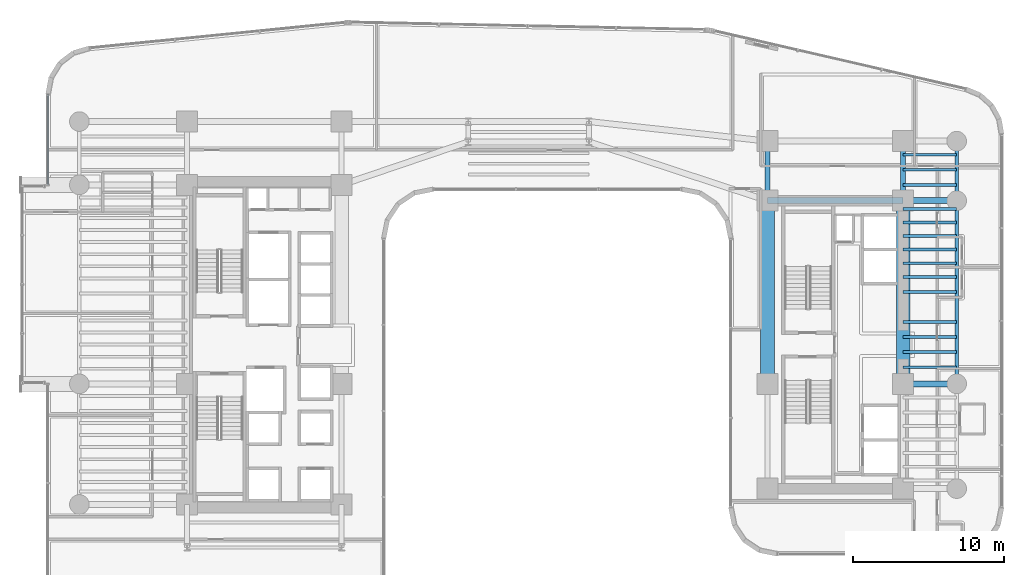
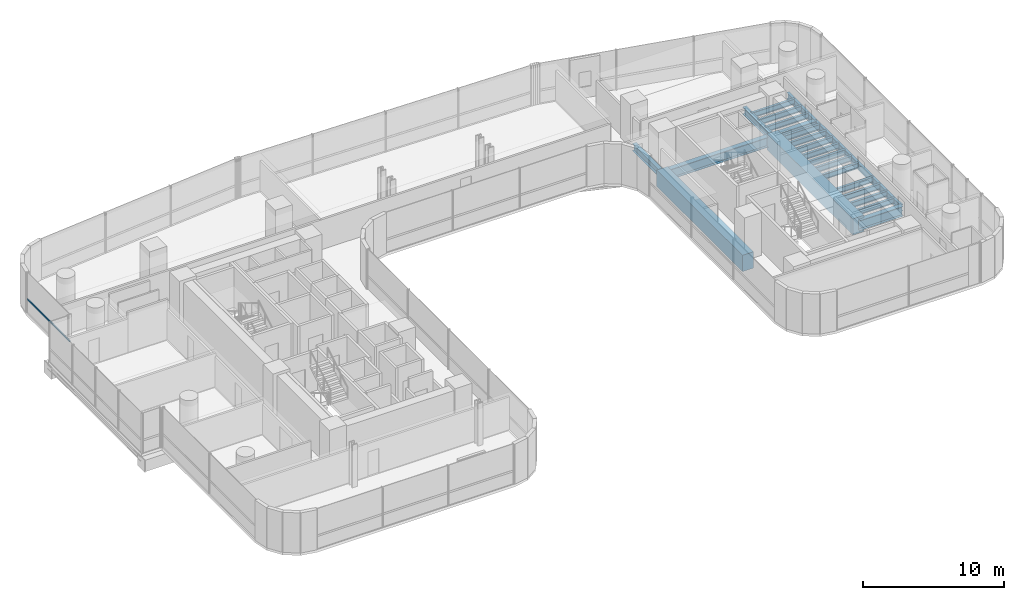
# One storey, part 16 of 39: 23 beams, 1 member, 1 element without a shape of its own.
"""IFC4 building model written with IfcOpenShell, lengths in metres."""

from ifc_helpers import new_model, si_unit, direction, frame, origin, origin_2d, place, context, subcontext, project, spatial, rectangle, hollow_rectangle, i_section, extrude, source, transform, mapped, material, material_profile, profile_set, type_object, element, aggregate, save


model = new_model("IFC4")

# Units and contexts
model_context = context("Model", 3, precision=1e-05, world=origin(), true_north=direction((0.0, 1.0)))
body_context = subcontext(model_context, "Body", "Model", "MODEL_VIEW")
ifc_project = project(units=[si_unit("LENGTHUNIT", "METRE"), si_unit("AREAUNIT", "SQUARE_METRE"), si_unit("VOLUMEUNIT", "CUBIC_METRE"), si_unit("PLANEANGLEUNIT", "RADIAN"), si_unit("MASSUNIT", "GRAM", prefix="KILO")], contexts=[model_context])

# Site, building, storey
site_placement = place(None, origin())
site = spatial("IfcSite", under=ifc_project, at=site_placement, CompositionType="ELEMENT")
building_placement = place(site_placement, origin())
building = spatial("IfcBuilding", under=site, at=building_placement, Name="Valdorenza Pilgrim Sanctuary Tower", CompositionType="ELEMENT")
storey_placement = place(building_placement, frame((0.0, 0.0, 70.39990234375)))
storey = spatial("IfcBuildingStorey", under=building, at=storey_placement, Name="L17", CompositionType="ELEMENT", Elevation=70.39990234375)

# Beams
ifc_material_1 = material(Name="Concrete C60/75", Category="concrete")
ifc_material_profile_1 = material_profile(ifc_material_1, rectangle(XDim=0.89990234375, YDim=1.39990234375, at=origin_2d()), Name="RC 1400x900")
ifc_profile_set_1 = profile_set([ifc_material_profile_1], Name="Concrete C60/75")
beam_type_1 = type_object("IfcBeamType", Name="STR-BM-LNT-1400", PredefinedType="LINTEL", material=ifc_profile_set_1)
shared_shape_1 = source(origin(), body_context, "Body", "SweptSolid", [
    extrude(rectangle(XDim=0.89990234375, YDim=1.39990234375, at=origin_2d()), origin(), (0.0, 0.0, 1.0), 12.150146484375),
])
for number, where, z_axis, x_axis, name in (
    (1, (15.85009765625, -2.60009765625, -0.739990234375), (0.0, 1.0, 0.0), (-1.0, 0.0, 0.0), "L17 Core B West Coupling Lintel Girder"),
    (2, (24.85009765625, -2.60009765625, -0.739990234375), (0.0, 1.0, 0.0), (-1.0, 0.0, 0.0), "L17 Core B East Coupling Lintel Girder"),
):
    element("IfcBeam", number, at=place(storey_placement, frame(where, z_axis=z_axis, x_axis=x_axis)), inside=storey, type_object=beam_type_1, Name=name, PredefinedType="LINTEL", context=body_context, shape_type="MappedRepresentation", body=[
        mapped(shared_shape_1, transform((0.0, 0.0, 0.0), x_axis=(1.0, 0.0, 0.0), y_axis=(0.0, 1.0, 0.0), z_axis=(0.0, 0.0, 1.0), scale=1.0)),
    ])
ifc_material_2 = material(Name="Steel ASTM A992 Grade 50", Category="steel")
ifc_material_profile_2 = material_profile(ifc_material_2, i_section(OverallWidth=0.214111328125, OverallDepth=0.549072265625, WebThickness=0.0146484375, FlangeThickness=0.023681640625, at=origin_2d()), Name="W21X93")
ifc_profile_set_2 = profile_set([ifc_material_profile_2], Name="Steel ASTM A992 Grade 50")
beam_type_2 = type_object("IfcBeamType", Name="STR-BM-SPN-W21A", PredefinedType="SPANDREL", material=ifc_profile_set_2)
shared_shape_2 = source(origin(), body_context, "Body", "SweptSolid", [
    extrude(i_section(OverallWidth=0.214111328125, OverallDepth=0.549072265625, WebThickness=0.0146484375, FlangeThickness=0.023681640625, at=origin_2d()), origin(), (0.0, 0.0, 1.0), 12.150146484375),
])
beam_1_placement = place(storey_placement, frame((28.39990234375, -2.60009765625, -0.514404296875), z_axis=(0.0, 1.0, 0.0), x_axis=(-1.0, 0.0, 0.0)))
element("IfcBeam", 3, at=beam_1_placement, inside=storey, type_object=beam_type_2, Name="L17 Spandrel Beam WB-E-M0N1", PredefinedType="SPANDREL", context=body_context, shape_type="MappedRepresentation", body=[
    mapped(shared_shape_2, transform((0.0, 0.0, 0.0), x_axis=(1.0, 0.0, 0.0), y_axis=(0.0, 1.0, 0.0), z_axis=(0.0, 0.0, 1.0), scale=1.0)),
])
ifc_material_profile_3 = material_profile(ifc_material_2, i_section(OverallWidth=0.323974609375, OverallDepth=0.611083984375, WebThickness=0.0126953125, FlangeThickness=0.01904296875, at=origin_2d()), Name="W24X104")
ifc_profile_set_3 = profile_set([ifc_material_profile_3], Name="Steel ASTM A992 Grade 50")
beam_type_3 = type_object("IfcBeamType", Name="STR-BM-GRD-W24B", PredefinedType="BEAM", material=ifc_profile_set_3)
shared_shape_3 = source(origin(), body_context, "Body", "SweptSolid", [
    extrude(i_section(OverallWidth=0.323974609375, OverallDepth=0.611083984375, WebThickness=0.0126953125, FlangeThickness=0.01904296875, at=origin_2d()), origin(), (0.0, 0.0, 1.0), 3.949951171875),
])
for number, where, z_axis, x_axis, name in (
    (4, (15.85009765625, 9.550048828125, -0.54541015625), (0.0, 1.0, 0.0), (-1.0, 0.0, 0.0), "L17 Core Tie Girder CB-W-N1N2"),
    (5, (24.85009765625, 9.550048828125, -0.54541015625), (0.0, 1.0, 0.0), (-1.0, 0.0, 0.0), "L17 Core Tie Girder CB-E-N1N2"),
):
    element("IfcBeam", number, at=place(storey_placement, frame(where, z_axis=z_axis, x_axis=x_axis)), inside=storey, type_object=beam_type_3, Name=name, PredefinedType="BEAM", context=body_context, shape_type="MappedRepresentation", body=[
        mapped(shared_shape_3, transform((0.0, 0.0, 0.0), x_axis=(1.0, 0.0, 0.0), y_axis=(0.0, 1.0, 0.0), z_axis=(0.0, 0.0, 1.0), scale=1.0)),
    ])
shared_shape_4 = source(origin(), body_context, "Body", "SweptSolid", [
    extrude(i_section(OverallWidth=0.214111328125, OverallDepth=0.549072265625, WebThickness=0.0146484375, FlangeThickness=0.023681640625, at=origin_2d()), origin(), (0.0, 0.0, 1.0), 3.949951171875),
])
beam_2_placement = place(storey_placement, frame((28.39990234375, 9.550048828125, -0.514404296875), z_axis=(0.0, 1.0, 0.0), x_axis=(-1.0, 0.0, 0.0)))
element("IfcBeam", 6, at=beam_2_placement, inside=storey, type_object=beam_type_2, Name="L17 Spandrel Beam WB-E-N1N2", PredefinedType="SPANDREL", context=body_context, shape_type="MappedRepresentation", body=[
    mapped(shared_shape_4, transform((0.0, 0.0, 0.0), x_axis=(1.0, 0.0, 0.0), y_axis=(0.0, 1.0, 0.0), z_axis=(0.0, 0.0, 1.0), scale=1.0)),
])
ifc_material_profile_4 = material_profile(ifc_material_2, i_section(OverallWidth=0.193115234375, OverallDepth=0.466064453125, WebThickness=0.011474609375, FlangeThickness=0.01904296875, at=origin_2d()), Name="W18X65")
ifc_profile_set_4 = profile_set([ifc_material_profile_4], Name="Steel ASTM A992 Grade 50")
beam_type_4 = type_object("IfcBeamType", Name="STR-BM-JST-W18A", PredefinedType="JOIST", material=ifc_profile_set_4)
shared_shape_5 = source(origin(), body_context, "Body", "SweptSolid", [
    extrude(i_section(OverallWidth=0.193115234375, OverallDepth=0.466064453125, WebThickness=0.011474609375, FlangeThickness=0.01904296875, at=origin_2d()), origin(), (0.0, 0.0, 1.0), 3.5498046875),
])
for number, where, z_axis, x_axis, name in (
    (7, (24.85009765625, -1.5, -0.472900390625), (1.0, 0.0, 0.0), (0.0, 1.0, 0.0), "L17 Composite Floor Joist JST-WB-8"),
    (8, (24.85009765625, -0.5, -0.472900390625), (1.0, 0.0, 0.0), (0.0, 1.0, 0.0), "L17 Composite Floor Joist JST-WB-9"),
    (9, (24.85009765625, 0.5, -0.472900390625), (1.0, 0.0, 0.0), (0.0, 1.0, 0.0), "L17 Composite Floor Joist JST-WB-10"),
    (10, (24.85009765625, 1.5, -0.472900390625), (1.0, 0.0, 0.0), (0.0, 1.0, 0.0), "L17 Composite Floor Joist JST-WB-11"),
    (11, (24.85009765625, 3.5, -0.472900390625), (1.0, 0.0, 0.0), (0.0, 1.0, 0.0), "L17 Composite Floor Joist JST-WB-12"),
    (12, (24.85009765625, 4.5, -0.472900390625), (1.0, 0.0, 0.0), (0.0, 1.0, 0.0), "L17 Composite Floor Joist JST-WB-13"),
    (13, (24.85009765625, 5.39990234375, -0.472900390625), (1.0, 0.0, 0.0), (0.0, 1.0, 0.0), "L17 Composite Floor Joist JST-WB-14"),
    (14, (24.85009765625, 6.300048828125, -0.472900390625), (1.0, 0.0, 0.0), (0.0, 1.0, 0.0), "L17 Composite Floor Joist JST-WB-15"),
    (15, (24.85009765625, 7.199951171875, -0.472900390625), (1.0, 0.0, 0.0), (0.0, 1.0, 0.0), "L17 Composite Floor Joist JST-WB-16"),
    (16, (24.85009765625, 8.10009765625, -0.472900390625), (1.0, 0.0, 0.0), (0.0, 1.0, 0.0), "L17 Composite Floor Joist JST-WB-17"),
    (17, (24.85009765625, 9.0, -0.472900390625), (1.0, 0.0, 0.0), (0.0, 1.0, 0.0), "L17 Composite Floor Joist JST-WB-18"),
    (18, (24.85009765625, 10.60009765625, -0.472900390625), (1.0, 0.0, 0.0), (0.0, 1.0, 0.0), "L17 Composite Floor Joist JST-WB-19"),
    (19, (24.85009765625, 11.60009765625, -0.472900390625), (1.0, 0.0, 0.0), (0.0, 1.0, 0.0), "L17 Composite Floor Joist JST-WB-20"),
    (20, (24.85009765625, 12.60009765625, -0.472900390625), (1.0, 0.0, 0.0), (0.0, 1.0, 0.0), "L17 Composite Floor Joist JST-WB-21"),
):
    element("IfcBeam", number, at=place(storey_placement, frame(where, z_axis=z_axis, x_axis=x_axis)), inside=storey, type_object=beam_type_4, Name=name, PredefinedType="JOIST", context=body_context, shape_type="MappedRepresentation", body=[
        mapped(shared_shape_5, transform((0.0, 0.0, 0.0), x_axis=(1.0, 0.0, 0.0), y_axis=(0.0, 1.0, 0.0), z_axis=(0.0, 0.0, 1.0), scale=1.0)),
    ])
ifc_material_profile_5 = material_profile(ifc_material_2, i_section(OverallWidth=0.39990234375, OverallDepth=0.862060546875, WebThickness=0.019775390625, FlangeThickness=0.032470703125, at=origin_2d()), Name="W33X221")
ifc_profile_set_5 = profile_set([ifc_material_profile_5], Name="Steel ASTM A992 Grade 50")
beam_type_5 = type_object("IfcBeamType", Name="STR-BM-GRD-W33", PredefinedType="BEAM", material=ifc_profile_set_5)
shared_shape_6 = source(origin(), body_context, "Body", "SweptSolid", [
    extrude(i_section(OverallWidth=0.39990234375, OverallDepth=0.862060546875, WebThickness=0.019775390625, FlangeThickness=0.032470703125, at=origin_2d()), origin(), (0.0, 0.0, 1.0), 9.0),
])
beam_3_placement = place(storey_placement, frame((15.85009765625, 9.550048828125, -0.6708984375), z_axis=(1.0, 0.0, 0.0), x_axis=(0.0, 1.0, 0.0)))
element("IfcBeam", 21, at=beam_3_placement, inside=storey, type_object=beam_type_5, Name="L17 Floor Girder CB-XC-N1", PredefinedType="BEAM", context=body_context, shape_type="MappedRepresentation", body=[
    mapped(shared_shape_6, transform((0.0, 0.0, 0.0), x_axis=(1.0, 0.0, 0.0), y_axis=(0.0, 1.0, 0.0), z_axis=(0.0, 0.0, 1.0), scale=1.0)),
])
shared_shape_7 = source(origin(), body_context, "Body", "SweptSolid", [
    extrude(i_section(OverallWidth=0.39990234375, OverallDepth=0.862060546875, WebThickness=0.019775390625, FlangeThickness=0.032470703125, at=origin_2d()), origin(), (0.0, 0.0, 1.0), 3.5498046875),
])
for number, where, z_axis, x_axis, name in (
    (22, (24.85009765625, -2.60009765625, -0.6708984375), (1.0, 0.0, 0.0), (0.0, 1.0, 0.0), "L17 Floor Girder WB-XE-M0"),
    (23, (24.85009765625, 9.550048828125, -0.6708984375), (1.0, 0.0, 0.0), (0.0, 1.0, 0.0), "L17 Floor Girder WB-XE-N1"),
):
    element("IfcBeam", number, at=place(storey_placement, frame(where, z_axis=z_axis, x_axis=x_axis)), inside=storey, type_object=beam_type_5, Name=name, PredefinedType="BEAM", context=body_context, shape_type="MappedRepresentation", body=[
        mapped(shared_shape_7, transform((0.0, 0.0, 0.0), x_axis=(1.0, 0.0, 0.0), y_axis=(0.0, 1.0, 0.0), z_axis=(0.0, 0.0, 1.0), scale=1.0)),
    ])

# Curtain wall, member
ifc_material_3 = material(Name="Curtain-wall IGU glazing", Category="glass")
curtain_wall_type = type_object("IfcCurtainWallType", Name="CW-SYS-02", PredefinedType="NOTDEFINED", material=ifc_material_3)
curtain_wall_placement = place(storey_placement, origin())
curtain_wall = element("IfcCurtainWall", 24, at=curtain_wall_placement, inside=storey, type_object=curtain_wall_type, Name="L17 Curtain Wall CW-L17-1-1S2", PredefinedType="NOTDEFINED")
ifc_material_4 = material(Name="Anodised aluminium AW-6060", Category="aluminium")
ifc_material_profile_6 = material_profile(ifc_material_4, hollow_rectangle(XDim=0.074951171875, YDim=0.14990234375, WallThickness=0.00390625, at=origin_2d()), Name="ALU-T 150x75x4")
ifc_profile_set_6 = profile_set([ifc_material_profile_6], Name="Anodised aluminium AW-6060")
member_type = type_object("IfcMemberType", Name="CW-TRN-02", PredefinedType="USERDEFINED", material=ifc_profile_set_6)
shared_shape_8 = source(origin(), body_context, "Body", "SweptSolid", [
    extrude(hollow_rectangle(XDim=0.074951171875, YDim=0.14990234375, WallThickness=0.00390625, at=origin_2d()), origin(), (0.0, 0.0, 1.0), 5.993896484375),
])
member_placement = place(storey_placement, frame((-31.889892578125, 10.60009765625, 1.1201171875), z_axis=(0.0, 1.0, 0.0), x_axis=(-1.0, 0.0, 0.0)))
member = element("IfcMember", 25, at=member_placement, type_object=member_type, Name="CW-L17-1-1S2 Transom 1", ObjectType="TRANSOM", PredefinedType="USERDEFINED", context=body_context, shape_type="MappedRepresentation", body=[
    mapped(shared_shape_8, transform((0.0, 0.0, 0.0), x_axis=(1.0, 0.0, 0.0), y_axis=(0.0, 1.0, 0.0), z_axis=(0.0, 0.0, 1.0), scale=1.0)),
])
aggregate(curtain_wall, [member])

save(model, "model.ifc")
